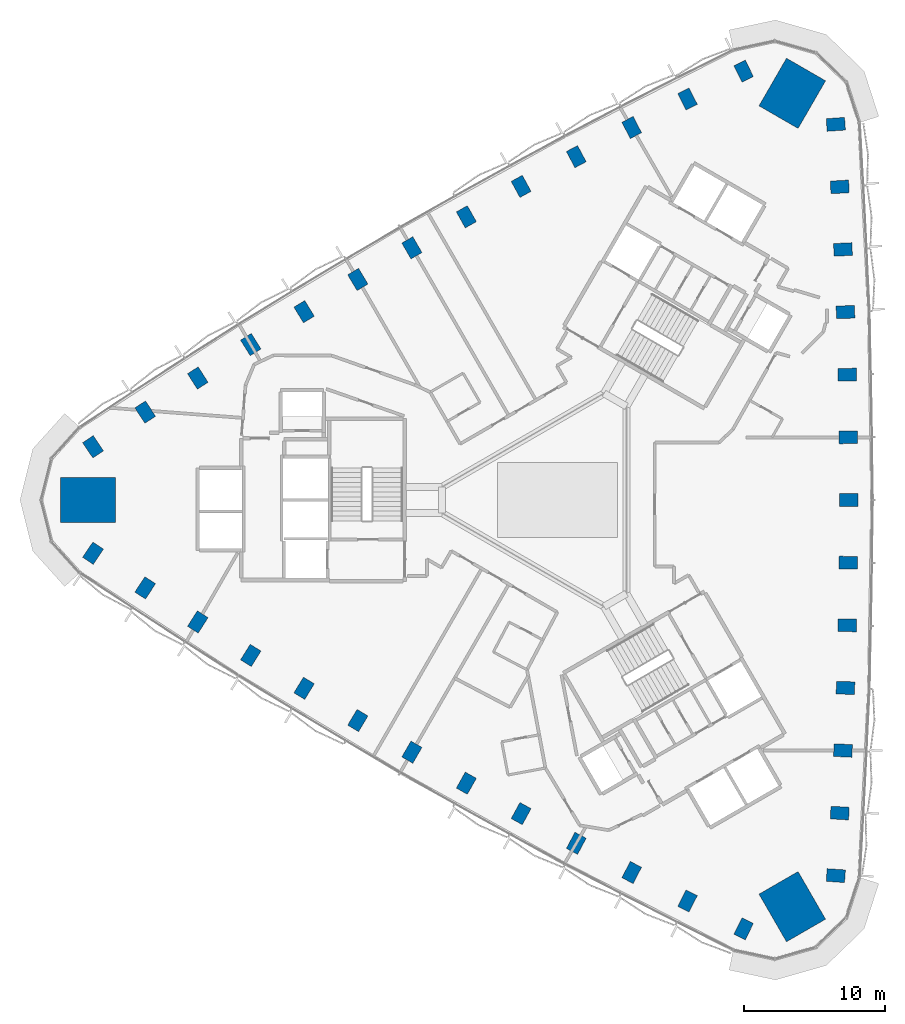
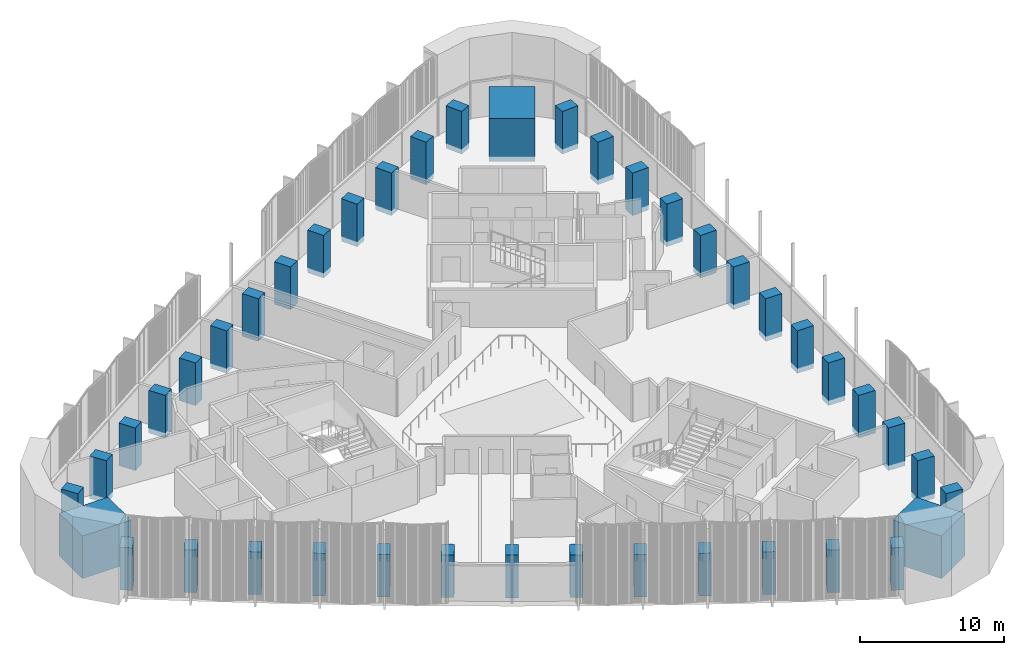
# One storey, part 1 of 15: 42 columns.
"""IFC4 building model written with IfcOpenShell, lengths in metres."""

from ifc_helpers import new_model, si_unit, direction, frame, origin, origin_2d, place, context, subcontext, project, spatial, rectangle, extrude, material, material_profile, profile_set, type_object, element, save


model = new_model("IFC4")

# Units and contexts
model_context = context("Model", 3, precision=1e-05, world=origin(), true_north=direction((0.0, 1.0)))
body_context = subcontext(model_context, "Body", "Model", "MODEL_VIEW")
ifc_project = project(units=[si_unit("LENGTHUNIT", "METRE"), si_unit("AREAUNIT", "SQUARE_METRE"), si_unit("VOLUMEUNIT", "CUBIC_METRE"), si_unit("PLANEANGLEUNIT", "RADIAN"), si_unit("MASSUNIT", "GRAM", prefix="KILO")], contexts=[model_context])

# Site, building, storey
site_placement = place(None, origin())
site = spatial("IfcSite", under=ifc_project, at=site_placement, CompositionType="ELEMENT")
building_placement = place(site_placement, origin())
building = spatial("IfcBuilding", under=site, at=building_placement, Name="Tamra Quay Hotel Tower", CompositionType="ELEMENT")
storey_placement = place(building_placement, frame((0.0, 0.0, 79.39990234375)))
storey = spatial("IfcBuildingStorey", under=building, at=storey_placement, Name="L18", CompositionType="ELEMENT", Elevation=79.39990234375)

# Columns
ifc_material = material(Name="Concrete M70", Category="concrete")
ifc_material_profile_1 = material_profile(ifc_material, rectangle(XDim=1.300048828125, YDim=0.89990234375, at=origin_2d()), Name="COLUMN RC 900x1300 Z2")
ifc_profile_set_1 = profile_set([ifc_material_profile_1], Name="Concrete M70")
column_type_1 = type_object("IfcColumnType", Name="COLUMN RC 900x1300 Z2", PredefinedType="COLUMN", material=ifc_profile_set_1)
for number, where, z_axis, x_axis, name in (
    (1, (19.746337890625, -26.648681640625, -0.4248046875), (0.0, 0.0, 1.0), (-0.997682497858, 0.068041409955, 0.0), "COL-C2E01-L18"),
    (2, (20.02490234375, -22.212158203125, -0.4248046875), (0.0, 0.0, 1.0), (-0.998368034899, 0.057107502941, 0.0), "COL-C2E02-L18"),
    (3, (20.2529296875, -17.773193359375, -0.4248046875), (0.0, 0.0, 1.0), (-0.99895467426, 0.04571169187, 0.0), "COL-C2E03-L18"),
    (4, (20.430419921875, -13.331787109375, -0.4248046875), (0.0, 0.0, 1.0), (-0.999411600314, 0.034299462929, 0.0), "COL-C2E04-L18"),
    (5, (20.557373046875, -8.888916015625, -0.4248046875), (0.0, 0.0, 1.0), (-0.999738355025, 0.022874035338, 0.0), "COL-C2E05-L18"),
    (6, (20.633544921875, -4.44482421875, -0.4248046875), (0.0, 0.0, 1.0), (-0.999934576635, 0.01143863846, 0.0), "COL-C2E06-L18"),
    (7, (20.658935546875, 0.0, -0.4248046875), (0.0, 0.0, 1.0), (1.0, 0.0, 0.0), "COL-C2E07-L18"),
    (8, (20.633544921875, 4.44482421875, -0.4248046875), (0.0, 0.0, 1.0), (0.999934576635, 0.01143863846, 0.0), "COL-C2E08-L18"),
    (9, (20.557373046875, 8.888916015625, -0.4248046875), (0.0, 0.0, 1.0), (0.999738355025, 0.022874035338, 0.0), "COL-C2E09-L18"),
    (10, (20.430419921875, 13.331787109375, -0.4248046875), (0.0, 0.0, 1.0), (0.999411600314, 0.034299462929, 0.0), "COL-C2E10-L18"),
    (11, (20.2529296875, 17.773193359375, -0.4248046875), (0.0, 0.0, 1.0), (0.99895467426, 0.04571169187, 0.0), "COL-C2E11-L18"),
    (12, (20.02490234375, 22.212158203125, -0.4248046875), (0.0, 0.0, 1.0), (0.998368034899, 0.057107502941, 0.0), "COL-C2E12-L18"),
    (13, (19.746337890625, 26.648681640625, -0.4248046875), (0.0, 0.0, 1.0), (0.997682497858, 0.068041409955, 0.0), "COL-C2E13-L18"),
    (14, (13.205078125, 30.425048828125, -0.4248046875), (0.0, 0.0, 1.0), (-0.439915659398, 0.898039093033, 0.0), "COL-C2NW01-L18"),
    (15, (9.223876953125, 28.4482421875, -0.4248046875), (0.0, 0.0, 1.0), (-0.449727469156, 0.893165832019, 0.0), "COL-C2NW02-L18"),
    (16, (5.265625, 26.42626953125, -0.4248046875), (0.0, 0.0, 1.0), (-0.459889850721, 0.887975971074, 0.0), "COL-C2NW03-L18"),
    (17, (1.33056640625, 24.359375, -0.4248046875), (0.0, 0.0, 1.0), (-0.470001593924, 0.882665566174, 0.0), "COL-C2NW04-L18"),
    (18, (-2.580810546875, 22.247802734375, -0.4248046875), (0.0, 0.0, 1.0), (-0.480059681822, 0.877235830258, 0.0), "COL-C2NW05-L18"),
    (19, (-6.467529296875, 20.091552734375, -0.4248046875), (0.0, 0.0, 1.0), (-0.490061136827, 0.871688064718, 0.0), "COL-C2NW06-L18"),
    (20, (-10.32958984375, 17.89111328125, -0.4248046875), (0.0, 0.0, 1.0), (-0.5, 0.866025403784, 0.0), "COL-C2NW07-L18"),
    (21, (-14.166015625, 15.646728515625, -0.4248046875), (0.0, 0.0, 1.0), (-0.509873439808, 0.860249426259, 0.0), "COL-C2NW08-L18"),
    (22, (-17.976806640625, 13.35888671875, -0.4248046875), (0.0, 0.0, 1.0), (-0.519678673202, 0.85436179492, 0.0), "COL-C2NW09-L18"),
    (23, (-21.760986328125, 11.02734375, -0.4248046875), (0.0, 0.0, 1.0), (-0.52941000639, 0.848366103245, 0.0), "COL-C2NW10-L18"),
    (24, (-25.5185546875, 8.653076171875, -0.4248046875), (0.0, 0.0, 1.0), (-0.539064823539, 0.842264279204, 0.0), "COL-C2NW11-L18"),
    (25, (-29.248779296875, 6.23583984375, -0.4248046875), (0.0, 0.0, 1.0), (-0.548640565743, 0.836058329078, 0.0), "COL-C2NW12-L18"),
    (26, (-32.951416015625, 3.776611328125, -0.4248046875), (0.0, 0.0, 1.0), (-0.557766838459, 0.829997683078, 0.0), "COL-C2NW13-L18"),
    (27, (-32.951416015625, -3.776611328125, -0.4248046875), (0.0, 0.0, 1.0), (0.557766838459, 0.829997683078, 0.0), "COL-C2SW01-L18"),
    (28, (-29.248779296875, -6.23583984375, -0.4248046875), (0.0, 0.0, 1.0), (0.548640565743, 0.836058329078, 0.0), "COL-C2SW02-L18"),
    (29, (-25.5185546875, -8.653076171875, -0.4248046875), (0.0, 0.0, 1.0), (0.539064823539, 0.842264279204, 0.0), "COL-C2SW03-L18"),
    (30, (-21.760986328125, -11.02734375, -0.4248046875), (0.0, 0.0, 1.0), (0.52941000639, 0.848366103245, 0.0), "COL-C2SW04-L18"),
    (31, (-17.976806640625, -13.35888671875, -0.4248046875), (0.0, 0.0, 1.0), (0.519678673202, 0.85436179492, 0.0), "COL-C2SW05-L18"),
    (32, (-14.166015625, -15.646728515625, -0.4248046875), (0.0, 0.0, 1.0), (0.509873439808, 0.860249426259, 0.0), "COL-C2SW06-L18"),
    (33, (-10.32958984375, -17.89111328125, -0.4248046875), (0.0, 0.0, 1.0), (0.5, 0.866025403784, 0.0), "COL-C2SW07-L18"),
    (34, (-6.467529296875, -20.091552734375, -0.4248046875), (0.0, 0.0, 1.0), (0.490061136827, 0.871688064718, 0.0), "COL-C2SW08-L18"),
    (35, (-2.580810546875, -22.247802734375, -0.4248046875), (0.0, 0.0, 1.0), (0.480059681822, 0.877235830258, 0.0), "COL-C2SW09-L18"),
    (36, (1.33056640625, -24.359375, -0.4248046875), (0.0, 0.0, 1.0), (0.470001593924, 0.882665566174, 0.0), "COL-C2SW10-L18"),
    (37, (5.265625, -26.42626953125, -0.4248046875), (0.0, 0.0, 1.0), (0.459889850721, 0.887975971074, 0.0), "COL-C2SW11-L18"),
    (38, (9.223876953125, -28.4482421875, -0.4248046875), (0.0, 0.0, 1.0), (0.449727469156, 0.893165832019, 0.0), "COL-C2SW12-L18"),
    (39, (13.205078125, -30.425048828125, -0.4248046875), (0.0, 0.0, 1.0), (0.439915659398, 0.898039093033, 0.0), "COL-C2SW13-L18"),
):
    element("IfcColumn", number, at=place(storey_placement, frame(where, z_axis=z_axis, x_axis=x_axis)), inside=storey, type_object=column_type_1, Name=name, PredefinedType="COLUMN", context=body_context, shape_type="SweptSolid", body=[
        extrude(rectangle(XDim=1.300048828125, YDim=0.89990234375, at=origin_2d()), origin(), (0.0, 0.0, 1.0), 3.599853515625),
    ])
ifc_material_profile_2 = material_profile(ifc_material, rectangle(XDim=3.89990234375, YDim=3.199951171875, at=origin_2d()), Name="MEGA COLUMN RC 3200x3900 Z2")
ifc_profile_set_2 = profile_set([ifc_material_profile_2], Name="Concrete M70")
column_type_2 = type_object("IfcColumnType", Name="MEGA COLUMN RC 3200x3900 Z2", PredefinedType="COLUMN", material=ifc_profile_set_2)
for number, where, z_axis, x_axis, name in (
    (40, (16.65673828125, 28.8505859375, -0.4248046875), (0.0, 0.0, 1.0), (0.5, 0.866025403784, 0.0), "COL-M2NE-L18"),
    (41, (-33.313720703125, 0.0, -0.4248046875), (0.0, 0.0, 1.0), (1.0, 0.0, 0.0), "COL-M2W-L18"),
    (42, (16.65673828125, -28.8505859375, -0.4248046875), (0.0, 0.0, 1.0), (-0.5, 0.866025403784, 0.0), "COL-M2SE-L18"),
):
    element("IfcColumn", number, at=place(storey_placement, frame(where, z_axis=z_axis, x_axis=x_axis)), inside=storey, type_object=column_type_2, Name=name, PredefinedType="COLUMN", context=body_context, shape_type="SweptSolid", body=[
        extrude(rectangle(XDim=3.89990234375, YDim=3.199951171875, at=origin_2d()), origin(), (0.0, 0.0, 1.0), 3.599853515625),
    ])

save(model, "model.ifc")
